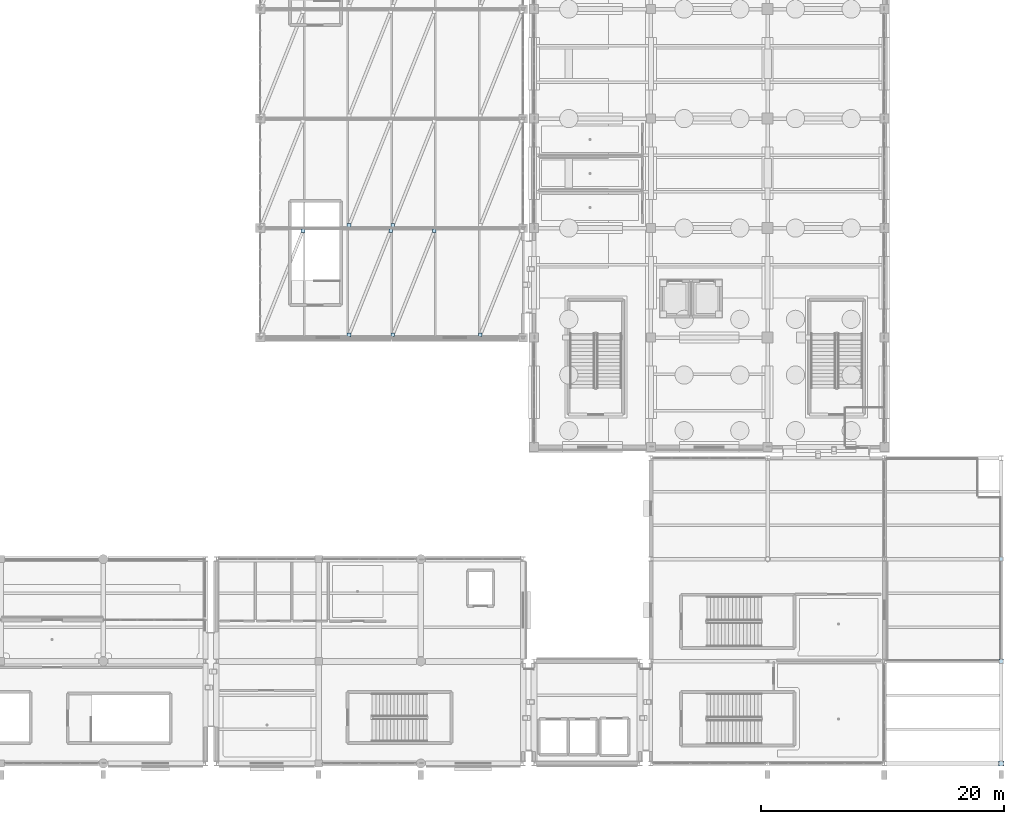
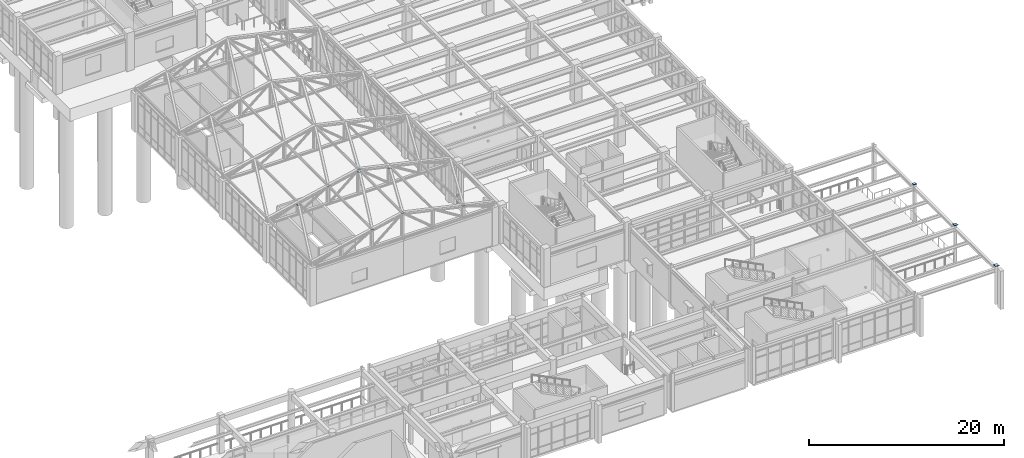
# One storey, part 107 of 139: 11 plates.
"""IFC4 building model written with IfcOpenShell, lengths in metres."""

from ifc_helpers import new_model, si_unit, direction, frame, origin, origin_2d, place, context, subcontext, project, spatial, rectangle, extrude, material, layer, layer_set, type_object, element, save


model = new_model("IFC4")

# Units and contexts
model_context = context("Model", 3, precision=1e-05, world=origin(), true_north=direction((0.0, 1.0)))
body_context = subcontext(model_context, "Body", "Model", "MODEL_VIEW")
ifc_project = project(units=[si_unit("LENGTHUNIT", "METRE"), si_unit("AREAUNIT", "SQUARE_METRE"), si_unit("VOLUMEUNIT", "CUBIC_METRE"), si_unit("PLANEANGLEUNIT", "RADIAN"), si_unit("MASSUNIT", "GRAM", prefix="KILO")], contexts=[model_context])

# Site, building, storey
site_placement = place(None, origin())
site = spatial("IfcSite", under=ifc_project, at=site_placement, CompositionType="ELEMENT")
building_placement = place(site_placement, origin())
building = spatial("IfcBuilding", under=site, at=building_placement, Name="Canglan Escarpment Cableway Terminal", CompositionType="ELEMENT")
storey_placement = place(building_placement, frame((0.0, 0.0, 14.39990234375)))
storey = spatial("IfcBuildingStorey", under=building, at=storey_placement, Name="L03", CompositionType="ELEMENT", Elevation=14.39990234375)

# Plates
ifc_material = material(Name="Steel Q355B", Category="steel")
ifc_layer_1 = layer(ifc_material, 0.01611328125, Name="Steel Q355B")
ifc_layer_set_1 = layer_set([ifc_layer_1], Name="Steel Q355B")
plate_type_1 = type_object("IfcPlateType", Name="PLT-CAP-16", PredefinedType="SHEET", material=ifc_layer_set_1)
plate_1_placement = place(storey_placement, frame((176.0, 8.0, 4.796142578125), z_axis=(0.0, 0.0, 1.0), x_axis=(1.0, 0.0, 0.0)))
element("IfcPlate", 1, at=plate_1_placement, inside=storey, type_object=plate_type_1, Name="Welded hollow column end cap plate CP-01", PredefinedType="SHEET", context=body_context, shape_type="SweptSolid", body=[
    extrude(rectangle(XDim=0.446044921875, YDim=0.446044921875, at=origin_2d()), origin(), (0.0, 0.0, 1.0), 0.01611328125),
])
plate_2_placement = place(storey_placement, frame((176.0, 16.39990234375, 4.796142578125), z_axis=(0.0, 0.0, 1.0), x_axis=(1.0, 0.0, 0.0)))
element("IfcPlate", 2, at=plate_2_placement, inside=storey, type_object=plate_type_1, Name="Welded hollow column end cap plate CP-01", PredefinedType="SHEET", context=body_context, shape_type="SweptSolid", body=[
    extrude(rectangle(XDim=0.39599609375, YDim=0.39599609375, at=origin_2d()), origin(), (0.0, 0.0, 1.0), 0.01611328125),
])
plate_3_placement = place(storey_placement, frame((176.0, 24.800048828125, 4.796142578125), z_axis=(0.0, 0.0, 1.0), x_axis=(1.0, 0.0, 0.0)))
element("IfcPlate", 3, at=plate_3_placement, inside=storey, type_object=plate_type_1, Name="Welded hollow column end cap plate CP-01", PredefinedType="SHEET", context=body_context, shape_type="SweptSolid", body=[
    extrude(rectangle(XDim=0.340087890625, YDim=0.340087890625, at=origin_2d()), origin(), (0.0, 0.0, 1.0), 0.01611328125),
])
ifc_layer_2 = layer(ifc_material, 0.01611328125, Name="Steel Q355B")
ifc_layer_set_2 = layer_set([ifc_layer_2], Name="Steel Q355B")
plate_type_2 = type_object("IfcPlateType", Name="PLT-GUSSET-16", PredefinedType="USERDEFINED", material=ifc_layer_set_2)
for number, where, z_axis, x_axis, name in (
    (4, (118.61083984375, 51.777099609375, 5.912109375), (0.0, 0.0, 1.0), (1.0, 0.0, 0.0), "Cabin Garage roof brace end gusset plate GP-03"),
    (5, (122.38916015625, 43.222900390625, 6.712158203125), (0.0, 0.0, 1.0), (1.0, 0.0, 0.0), "Cabin Garage roof brace end gusset plate GP-03"),
    (6, (125.810791015625, 51.777099609375, 7.511962890625), (0.0, 0.0, 1.0), (1.0, 0.0, 0.0), "Cabin Garage roof brace end gusset plate GP-03"),
    (7, (125.989013671875, 43.222900390625, 7.511962890625), (0.0, 0.0, 1.0), (1.0, 0.0, 0.0), "Cabin Garage roof brace end gusset plate GP-03"),
    (8, (129.410888671875, 51.777099609375, 6.712158203125), (0.0, 0.0, 1.0), (1.0, 0.0, 0.0), "Cabin Garage roof brace end gusset plate GP-03"),
    (9, (133.189208984375, 43.222900390625, 5.912109375), (0.0, 0.0, 1.0), (1.0, 0.0, 0.0), "Cabin Garage roof brace end gusset plate GP-03"),
    (10, (122.38916015625, 52.222900390625, 6.712158203125), (0.0, 0.0, 1.0), (1.0, 0.0, 0.0), "Cabin Garage roof brace end gusset plate GP-03"),
    (11, (125.989013671875, 52.222900390625, 7.511962890625), (0.0, 0.0, 1.0), (1.0, 0.0, 0.0), "Cabin Garage roof brace end gusset plate GP-03"),
):
    element("IfcPlate", number, at=place(storey_placement, frame(where, z_axis=z_axis, x_axis=x_axis)), inside=storey, type_object=plate_type_2, Name=name, ObjectType="GUSSET PLATE", PredefinedType="USERDEFINED", context=body_context, shape_type="SweptSolid", body=[
        extrude(rectangle(XDim=0.300048828125, YDim=0.300048828125, at=origin_2d()), origin(), (0.0, 0.0, 1.0), 0.01611328125),
    ])

save(model, "model.ifc")
